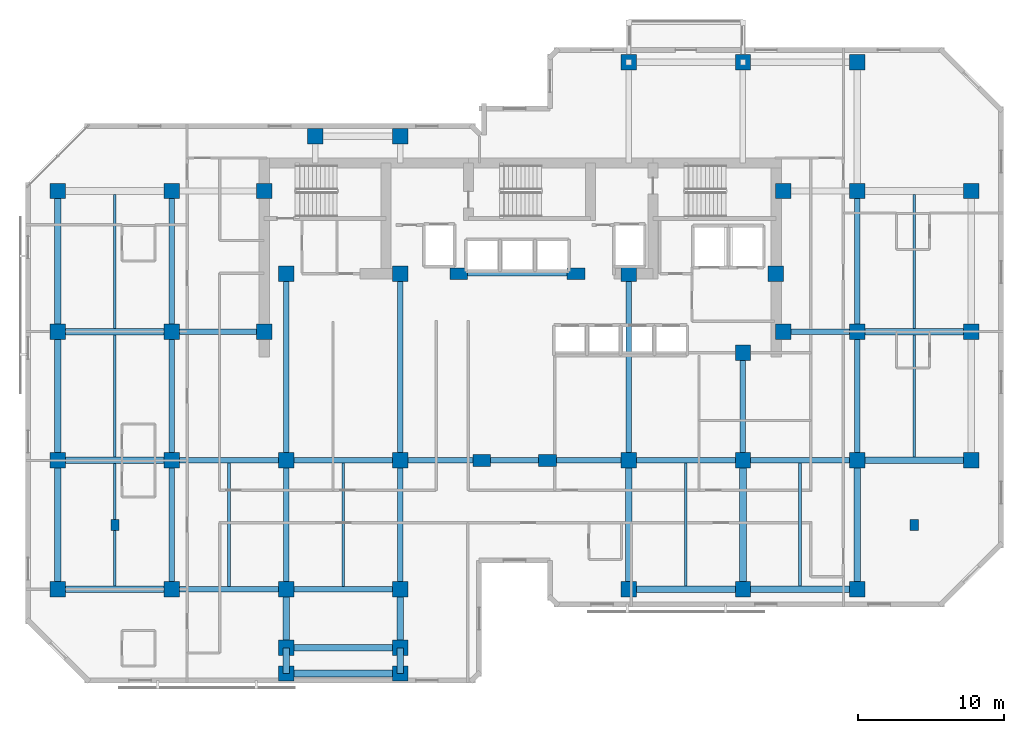
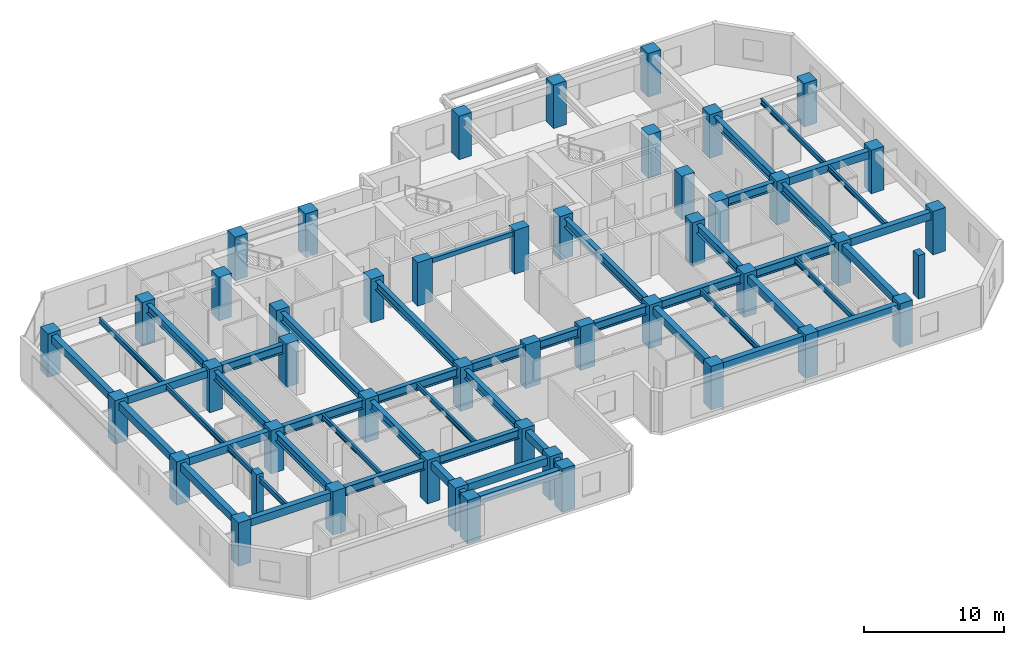
# One storey, part 1 of 10: 51 beams, 47 columns.
"""IFC4 building model written with IfcOpenShell, lengths in metres."""

from ifc_helpers import new_model, si_unit, direction, frame, origin, origin_2d, place, context, subcontext, project, spatial, rectangle, i_section, extrude, material, material_profile, profile_set, type_object, element, save


model = new_model("IFC4")

# Units and contexts
model_context = context("Model", 3, precision=1e-05, world=origin(), true_north=direction((0.0, 1.0)))
body_context = subcontext(model_context, "Body", "Model", "MODEL_VIEW")
ifc_project = project(units=[si_unit("LENGTHUNIT", "METRE"), si_unit("AREAUNIT", "SQUARE_METRE"), si_unit("VOLUMEUNIT", "CUBIC_METRE"), si_unit("PLANEANGLEUNIT", "RADIAN"), si_unit("MASSUNIT", "GRAM", prefix="KILO")], contexts=[model_context])

# Site, building, storey
site_placement = place(None, origin())
site = spatial("IfcSite", under=ifc_project, at=site_placement, CompositionType="ELEMENT")
building_placement = place(site_placement, origin())
building = spatial("IfcBuilding", under=site, at=building_placement, Name="Kestravale Grand Hotel", CompositionType="ELEMENT")
storey_placement = place(building_placement, frame((0.0, 0.0, 149.800048828125)))
storey = spatial("IfcBuildingStorey", under=building, at=storey_placement, Name="L37", CompositionType="ELEMENT", Elevation=149.800048828125)

# Columns
ifc_material_1 = material(Name="Concrete f'c 60 MPa", Category="concrete")
ifc_material_profile_1 = material_profile(ifc_material_1, rectangle(XDim=1.050048828125, YDim=1.050048828125, at=origin_2d()))
ifc_profile_set_1 = profile_set([ifc_material_profile_1], Name="Concrete f'c 60 MPa")
column_type_1 = type_object("IfcColumnType", Name="C-Z3-1050", PredefinedType="COLUMN", material=ifc_profile_set_1)
for number, where, z_axis, x_axis, name in (
    (1, (7.800048828125, 11.199951171875, 0.0), (0.0, 0.0, 1.0), (1.0, 0.0, 0.0), "L37 column 2-C"),
    (2, (7.800048828125, 20.0, 0.0), (0.0, 0.0, 1.0), (1.0, 0.0, 0.0), "L37 column 2-D"),
    (3, (7.800048828125, 28.800048828125, 0.0), (0.0, 0.0, 1.0), (1.0, 0.0, 0.0), "L37 column 2-E"),
    (4, (7.800048828125, 38.39990234375, 0.0), (0.0, 0.0, 1.0), (1.0, 0.0, 0.0), "L37 column 2-F"),
    (5, (15.60009765625, 11.199951171875, 0.0), (0.0, 0.0, 1.0), (1.0, 0.0, 0.0), "L37 column 3-C"),
    (6, (15.60009765625, 20.0, 0.0), (0.0, 0.0, 1.0), (1.0, 0.0, 0.0), "L37 column 3-D"),
    (7, (15.60009765625, 28.800048828125, 0.0), (0.0, 0.0, 1.0), (1.0, 0.0, 0.0), "L37 column 3-E"),
    (8, (15.60009765625, 38.39990234375, 0.0), (0.0, 0.0, 1.0), (1.0, 0.0, 0.0), "L37 column 3-F"),
    (9, (23.39990234375, 11.199951171875, 0.0), (0.0, 0.0, 1.0), (1.0, 0.0, 0.0), "L37 column 4-C"),
    (10, (23.39990234375, 20.0, 0.0), (0.0, 0.0, 1.0), (1.0, 0.0, 0.0), "L37 column 4-D"),
    (11, (31.199951171875, 11.199951171875, 0.0), (0.0, 0.0, 1.0), (1.0, 0.0, 0.0), "L37 column 5-C"),
    (12, (31.199951171875, 20.0, 0.0), (0.0, 0.0, 1.0), (1.0, 0.0, 0.0), "L37 column 5-D"),
    (13, (46.800048828125, 11.199951171875, 0.0), (0.0, 0.0, 1.0), (1.0, 0.0, 0.0), "L37 column 8-C"),
    (14, (46.800048828125, 20.0, 0.0), (0.0, 0.0, 1.0), (1.0, 0.0, 0.0), "L37 column 8-D"),
    (15, (46.800048828125, 47.199951171875, 0.0), (0.0, 0.0, 1.0), (1.0, 0.0, 0.0), "L37 column 8-G"),
    (16, (54.60009765625, 11.199951171875, 0.0), (0.0, 0.0, 1.0), (1.0, 0.0, 0.0), "L37 column 9-C"),
    (17, (54.60009765625, 20.0, 0.0), (0.0, 0.0, 1.0), (1.0, 0.0, 0.0), "L37 column 9-D"),
    (18, (54.60009765625, 47.199951171875, 0.0), (0.0, 0.0, 1.0), (1.0, 0.0, 0.0), "L37 column 9-G"),
    (19, (62.39990234375, 11.199951171875, 0.0), (0.0, 0.0, 1.0), (1.0, 0.0, 0.0), "L37 column 10-C"),
    (20, (62.39990234375, 20.0, 0.0), (0.0, 0.0, 1.0), (1.0, 0.0, 0.0), "L37 column 10-D"),
    (21, (62.39990234375, 28.800048828125, 0.0), (0.0, 0.0, 1.0), (1.0, 0.0, 0.0), "L37 column 10-E"),
    (22, (62.39990234375, 38.39990234375, 0.0), (0.0, 0.0, 1.0), (1.0, 0.0, 0.0), "L37 column 10-F"),
    (23, (62.39990234375, 47.199951171875, 0.0), (0.0, 0.0, 1.0), (1.0, 0.0, 0.0), "L37 column 10-G"),
    (24, (70.199951171875, 20.0, 0.0), (0.0, 0.0, 1.0), (1.0, 0.0, 0.0), "L37 column 11-D"),
    (25, (70.199951171875, 28.800048828125, 0.0), (0.0, 0.0, 1.0), (1.0, 0.0, 0.0), "L37 column 11-E"),
    (26, (70.199951171875, 38.39990234375, 0.0), (0.0, 0.0, 1.0), (1.0, 0.0, 0.0), "L37 column 11-F"),
    (27, (21.89990234375, 28.800048828125, 0.0), (0.0, 0.0, 1.0), (1.0, 0.0, 0.0), "L37 column CW-E"),
    (28, (21.89990234375, 38.39990234375, 0.0), (0.0, 0.0, 1.0), (1.0, 0.0, 0.0), "L37 column CW-F"),
    (29, (57.35009765625, 28.800048828125, 0.0), (0.0, 0.0, 1.0), (1.0, 0.0, 0.0), "L37 column CE-E"),
    (30, (57.35009765625, 38.39990234375, 0.0), (0.0, 0.0, 1.0), (1.0, 0.0, 0.0), "L37 column CE-F"),
    (31, (23.39990234375, 32.75, 0.0), (0.0, 0.0, 1.0), (1.0, 0.0, 0.0), "L37 column 4-CS"),
    (32, (31.199951171875, 32.75, 0.0), (0.0, 0.0, 1.0), (1.0, 0.0, 0.0), "L37 column 5-CS"),
    (33, (46.800048828125, 32.75, 0.0), (0.0, 0.0, 1.0), (1.0, 0.0, 0.0), "L37 column 8-CS"),
    (34, (54.60009765625, 27.35009765625, 0.0), (0.0, 0.0, 1.0), (1.0, 0.0, 0.0), "L37 column 9-CS"),
    (35, (56.85009765625, 32.75, 0.0), (0.0, 0.0, 1.0), (1.0, 0.0, 0.0), "L37 column 9C-CS"),
    (36, (23.39990234375, 7.199951171875, 0.0), (0.0, 0.0, 1.0), (1.0, 0.0, 0.0), "L37 column 4-BS"),
    (37, (31.199951171875, 7.199951171875, 0.0), (0.0, 0.0, 1.0), (1.0, 0.0, 0.0), "L37 column 5-BS"),
    (38, (25.39990234375, 42.14990234375, 0.0), (0.0, 0.0, 1.0), (1.0, 0.0, 0.0), "L37 column 4-FN"),
    (39, (31.199951171875, 42.14990234375, 0.0), (0.0, 0.0, 1.0), (1.0, 0.0, 0.0), "L37 column 5-FN"),
    (40, (23.39990234375, 5.449951171875, 0.0), (0.0, 0.0, 1.0), (1.0, 0.0, 0.0), "L37 column 4-B1S"),
    (41, (31.199951171875, 5.449951171875, 0.0), (0.0, 0.0, 1.0), (1.0, 0.0, 0.0), "L37 column 5-B1S"),
):
    element("IfcColumn", number, at=place(storey_placement, frame(where, z_axis=z_axis, x_axis=x_axis)), inside=storey, type_object=column_type_1, Name=name, PredefinedType="COLUMN", context=body_context, shape_type="SweptSolid", body=[
        extrude(rectangle(XDim=1.050048828125, YDim=1.050048828125, at=origin_2d()), origin(), (0.0, 0.0, 1.0), 3.800048828125),
    ])
ifc_material_2 = material(Name="Concrete f'c 60 MPa", Category="concrete")
ifc_material_profile_2 = material_profile(ifc_material_2, rectangle(XDim=1.199951171875, YDim=0.800048828125, at=origin_2d()))
ifc_profile_set_2 = profile_set([ifc_material_profile_2], Name="Concrete f'c 60 MPa")
column_type_2 = type_object("IfcColumnType", Name="C-Z3-1200X800", PredefinedType="COLUMN", material=ifc_profile_set_2)
for number, where, z_axis, x_axis, name in (
    (42, (36.75, 20.0, 0.0), (0.0, 0.0, 1.0), (1.0, 0.0, 0.0), "L37 column 6-D"),
    (43, (41.25, 20.0, 0.0), (0.0, 0.0, 1.0), (1.0, 0.0, 0.0), "L37 column 7-D"),
    (44, (35.199951171875, 32.75, 0.0), (0.0, 0.0, 1.0), (1.0, 0.0, 0.0), "L37 column 6C-CS"),
    (45, (43.199951171875, 32.75, 0.0), (0.0, 0.0, 1.0), (1.0, 0.0, 0.0), "L37 column 7C-CS"),
):
    element("IfcColumn", number, at=place(storey_placement, frame(where, z_axis=z_axis, x_axis=x_axis)), inside=storey, type_object=column_type_2, Name=name, PredefinedType="COLUMN", context=body_context, shape_type="SweptSolid", body=[
        extrude(rectangle(XDim=1.199951171875, YDim=0.800048828125, at=origin_2d()), origin(), (0.0, 0.0, 1.0), 3.800048828125),
    ])
ifc_material_3 = material(Name="Precast concrete f'c 45 MPa", Category="concrete")
ifc_material_profile_3 = material_profile(ifc_material_3, rectangle(XDim=0.550048828125, YDim=0.75, at=origin_2d()))
ifc_profile_set_3 = profile_set([ifc_material_profile_3], Name="Precast concrete f'c 45 MPa")
column_type_3 = type_object("IfcColumnType", Name="C-Z3-PIL750", PredefinedType="PILASTER", material=ifc_profile_set_3)
for number, where, z_axis, x_axis, name in (
    (46, (11.699951171875, 15.60009765625, 0.0), (0.0, 0.0, 1.0), (1.0, 0.0, 0.0), "L37 Art Deco fluted pilaster P1"),
    (47, (66.300048828125, 15.60009765625, 0.0), (0.0, 0.0, 1.0), (1.0, 0.0, 0.0), "L37 Art Deco fluted pilaster P2"),
):
    element("IfcColumn", number, at=place(storey_placement, frame(where, z_axis=z_axis, x_axis=x_axis)), inside=storey, type_object=column_type_3, Name=name, PredefinedType="PILASTER", context=body_context, shape_type="SweptSolid", body=[
        extrude(rectangle(XDim=0.550048828125, YDim=0.75, at=origin_2d()), origin(), (0.0, 0.0, 1.0), 3.800048828125),
    ])

# Beams
ifc_material_4 = material(Name="Steel ASTM A992 Grade 50", Category="steel")
ifc_material_profile_4 = material_profile(ifc_material_4, i_section(OverallWidth=0.19091796875, OverallDepth=0.45703125, WebThickness=0.009033203125, FlangeThickness=0.014404296875, FilletRadius=0.015380859375, at=origin_2d()))
ifc_profile_set_4 = profile_set([ifc_material_profile_4], Name="Steel ASTM A992 Grade 50")
beam_type_1 = type_object("IfcBeamType", Name="B-FLR-JST18", PredefinedType="JOIST", material=ifc_profile_set_4)
for number, where, z_axis, x_axis, name in (
    (48, (11.699951171875, 11.425048828125, 3.321533203125), (0.0, 1.0, 0.0), (-1.0, 0.0, 0.0), "L37 floor joist 2-3/C-D #1"),
    (49, (11.699951171875, 20.22509765625, 3.321533203125), (0.0, 1.0, 0.0), (-1.0, 0.0, 0.0), "L37 floor joist 2-3/D-E #1"),
):
    element("IfcBeam", number, at=place(storey_placement, frame(where, z_axis=z_axis, x_axis=x_axis)), inside=storey, type_object=beam_type_1, Name=name, PredefinedType="JOIST", context=body_context, shape_type="SweptSolid", body=[
        extrude(i_section(OverallWidth=0.19091796875, OverallDepth=0.45703125, WebThickness=0.009033203125, FlangeThickness=0.014404296875, FilletRadius=0.015380859375, at=origin_2d()), origin(), (0.0, 0.0, 1.0), 8.349853515625),
    ])
beam_1_placement = place(storey_placement, frame((11.699951171875, 29.02490234375, 3.321533203125), z_axis=(0.0, 1.0, 0.0), x_axis=(-1.0, 0.0, 0.0)))
element("IfcBeam", 50, at=beam_1_placement, inside=storey, type_object=beam_type_1, Name="L37 floor joist 2-3/E-F #1", PredefinedType="JOIST", context=body_context, shape_type="SweptSolid", body=[
    extrude(i_section(OverallWidth=0.19091796875, OverallDepth=0.45703125, WebThickness=0.009033203125, FlangeThickness=0.014404296875, FilletRadius=0.015380859375, at=origin_2d()), origin(), (0.0, 0.0, 1.0), 9.150146484375),
])
for number, where, z_axis, x_axis, name in (
    (51, (19.5, 11.390380859375, 3.321533203125), (0.0, 1.0, 0.0), (-1.0, 0.0, 0.0), "L37 floor joist 3-4/C-D #1"),
    (52, (27.300048828125, 11.390380859375, 3.321533203125), (0.0, 1.0, 0.0), (-1.0, 0.0, 0.0), "L37 floor joist 4-5/C-D #1"),
):
    element("IfcBeam", number, at=place(storey_placement, frame(where, z_axis=z_axis, x_axis=x_axis)), inside=storey, type_object=beam_type_1, Name=name, PredefinedType="JOIST", context=body_context, shape_type="SweptSolid", body=[
        extrude(i_section(OverallWidth=0.19091796875, OverallDepth=0.45703125, WebThickness=0.009033203125, FlangeThickness=0.014404296875, FilletRadius=0.015380859375, at=origin_2d()), origin(), (0.0, 0.0, 1.0), 8.419189453125),
    ])
for number, where, z_axis, x_axis, name in (
    (53, (50.699951171875, 11.425048828125, 3.321533203125), (0.0, 1.0, 0.0), (-1.0, 0.0, 0.0), "L37 floor joist 8-9/C-D #1"),
    (54, (58.5, 11.425048828125, 3.321533203125), (0.0, 1.0, 0.0), (-1.0, 0.0, 0.0), "L37 floor joist 9-10/C-D #1"),
):
    element("IfcBeam", number, at=place(storey_placement, frame(where, z_axis=z_axis, x_axis=x_axis)), inside=storey, type_object=beam_type_1, Name=name, PredefinedType="JOIST", context=body_context, shape_type="SweptSolid", body=[
        extrude(i_section(OverallWidth=0.19091796875, OverallDepth=0.45703125, WebThickness=0.009033203125, FlangeThickness=0.014404296875, FilletRadius=0.015380859375, at=origin_2d()), origin(), (0.0, 0.0, 1.0), 8.384521484375),
    ])
beam_2_placement = place(storey_placement, frame((66.300048828125, 20.22509765625, 3.321533203125), z_axis=(0.0, 1.0, 0.0), x_axis=(-1.0, 0.0, 0.0)))
element("IfcBeam", 55, at=beam_2_placement, inside=storey, type_object=beam_type_1, Name="L37 floor joist 10-11/D-E #1", PredefinedType="JOIST", context=body_context, shape_type="SweptSolid", body=[
    extrude(i_section(OverallWidth=0.19091796875, OverallDepth=0.45703125, WebThickness=0.009033203125, FlangeThickness=0.014404296875, FilletRadius=0.015380859375, at=origin_2d()), origin(), (0.0, 0.0, 1.0), 8.349853515625),
])
beam_3_placement = place(storey_placement, frame((66.300048828125, 29.02490234375, 3.321533203125), z_axis=(0.0, 1.0, 0.0), x_axis=(-1.0, 0.0, 0.0)))
element("IfcBeam", 56, at=beam_3_placement, inside=storey, type_object=beam_type_1, Name="L37 floor joist 10-11/E-F #1", PredefinedType="JOIST", context=body_context, shape_type="SweptSolid", body=[
    extrude(i_section(OverallWidth=0.19091796875, OverallDepth=0.45703125, WebThickness=0.009033203125, FlangeThickness=0.014404296875, FilletRadius=0.015380859375, at=origin_2d()), origin(), (0.0, 0.0, 1.0), 9.150146484375),
])
ifc_material_5 = material(Name="Concrete f'c 45 MPa", Category="concrete")
ifc_material_profile_5 = material_profile(ifc_material_5, rectangle(XDim=0.300048828125, YDim=0.39990234375, at=origin_2d()))
ifc_profile_set_5 = profile_set([ifc_material_profile_5], Name="Concrete f'c 45 MPa")
beam_type_2 = type_object("IfcBeamType", Name="B-FLR-LNT400", PredefinedType="LINTEL", material=ifc_profile_set_5)
beam_4_placement = place(storey_placement, frame((35.199951171875, 32.75, 3.349853515625), z_axis=(1.0, 0.0, 0.0), x_axis=(0.0, 1.0, 0.0)))
element("IfcBeam", 57, at=beam_4_placement, inside=storey, type_object=beam_type_2, Name="L37 core portal header lintel", PredefinedType="LINTEL", context=body_context, shape_type="SweptSolid", body=[
    extrude(rectangle(XDim=0.300048828125, YDim=0.39990234375, at=origin_2d()), origin(), (0.0, 0.0, 1.0), 8.0),
])
ifc_material_6 = material(Name="Concrete f'c 45 MPa", Category="concrete")
ifc_material_profile_6 = material_profile(ifc_material_6, rectangle(XDim=0.449951171875, YDim=0.64990234375, at=origin_2d()))
ifc_profile_set_6 = profile_set([ifc_material_profile_6], Name="Concrete f'c 45 MPa")
beam_type_3 = type_object("IfcBeamType", Name="B-FLR-RC650", PredefinedType="SPANDREL", material=ifc_profile_set_6)
for number, where, z_axis, x_axis, name in (
    (58, (7.800048828125, 11.199951171875, 3.224853515625), (1.0, 0.0, 0.0), (0.0, 1.0, 0.0), "L37 spandrel C:2-3"),
    (59, (46.800048828125, 11.199951171875, 3.224853515625), (1.0, 0.0, 0.0), (0.0, 1.0, 0.0), "L37 spandrel C:8-9"),
):
    element("IfcBeam", number, at=place(storey_placement, frame(where, z_axis=z_axis, x_axis=x_axis)), inside=storey, type_object=beam_type_3, Name=name, PredefinedType="SPANDREL", context=body_context, shape_type="SweptSolid", body=[
        extrude(rectangle(XDim=0.449951171875, YDim=0.64990234375, at=origin_2d()), origin(), (0.0, 0.0, 1.0), 7.800048828125),
    ])
beam_5_placement = place(storey_placement, frame((54.60009765625, 11.199951171875, 3.224853515625), z_axis=(1.0, 0.0, 0.0), x_axis=(0.0, 1.0, 0.0)))
element("IfcBeam", 60, at=beam_5_placement, inside=storey, type_object=beam_type_3, Name="L37 spandrel C:9-10", PredefinedType="SPANDREL", context=body_context, shape_type="SweptSolid", body=[
    extrude(rectangle(XDim=0.449951171875, YDim=0.64990234375, at=origin_2d()), origin(), (0.0, 0.0, 1.0), 7.7998046875),
])
for number, where, z_axis, x_axis, name in (
    (61, (7.800048828125, 20.0, 3.224853515625), (1.0, 0.0, 0.0), (0.0, 1.0, 0.0), "L37 spandrel D:2-3"),
    (62, (62.39990234375, 20.0, 3.224853515625), (1.0, 0.0, 0.0), (0.0, 1.0, 0.0), "L37 spandrel D:10-11"),
    (63, (7.800048828125, 28.800048828125, 3.224853515625), (1.0, 0.0, 0.0), (0.0, 1.0, 0.0), "L37 spandrel E:2-3"),
    (64, (62.39990234375, 28.800048828125, 3.224853515625), (1.0, 0.0, 0.0), (0.0, 1.0, 0.0), "L37 spandrel E:10-11"),
    (65, (23.39990234375, 5.449951171875, 3.224853515625), (1.0, 0.0, 0.0), (0.0, 1.0, 0.0), "L37 perimeter tie spandrel B1S:4-5"),
    (66, (23.39990234375, 7.199951171875, 3.224853515625), (1.0, 0.0, 0.0), (0.0, 1.0, 0.0), "L37 perimeter tie spandrel BS:4-5"),
):
    element("IfcBeam", number, at=place(storey_placement, frame(where, z_axis=z_axis, x_axis=x_axis)), inside=storey, type_object=beam_type_3, Name=name, PredefinedType="SPANDREL", context=body_context, shape_type="SweptSolid", body=[
        extrude(rectangle(XDim=0.449951171875, YDim=0.64990234375, at=origin_2d()), origin(), (0.0, 0.0, 1.0), 7.800048828125),
    ])
for number, where, z_axis, x_axis, name in (
    (67, (7.800048828125, 11.199951171875, 3.224853515625), (0.0, 1.0, 0.0), (-1.0, 0.0, 0.0), "L37 spandrel 2:C-D"),
    (68, (7.800048828125, 20.0, 3.224853515625), (0.0, 1.0, 0.0), (-1.0, 0.0, 0.0), "L37 spandrel 2:D-E"),
):
    element("IfcBeam", number, at=place(storey_placement, frame(where, z_axis=z_axis, x_axis=x_axis)), inside=storey, type_object=beam_type_3, Name=name, PredefinedType="SPANDREL", context=body_context, shape_type="SweptSolid", body=[
        extrude(rectangle(XDim=0.449951171875, YDim=0.64990234375, at=origin_2d()), origin(), (0.0, 0.0, 1.0), 8.800048828125),
    ])
beam_6_placement = place(storey_placement, frame((7.800048828125, 28.800048828125, 3.224853515625), z_axis=(0.0, 1.0, 0.0), x_axis=(-1.0, 0.0, 0.0)))
element("IfcBeam", 69, at=beam_6_placement, inside=storey, type_object=beam_type_3, Name="L37 spandrel 2:E-F", PredefinedType="SPANDREL", context=body_context, shape_type="SweptSolid", body=[
    extrude(rectangle(XDim=0.449951171875, YDim=0.64990234375, at=origin_2d()), origin(), (0.0, 0.0, 1.0), 9.599853515625),
])
beam_7_placement = place(storey_placement, frame((23.39990234375, 5.449951171875, 3.224853515625), z_axis=(0.0, 1.0, 0.0), x_axis=(-1.0, 0.0, 0.0)))
element("IfcBeam", 70, at=beam_7_placement, inside=storey, type_object=beam_type_3, Name="L37 spandrel 4:B1S-BS", PredefinedType="SPANDREL", context=body_context, shape_type="SweptSolid", body=[
    extrude(rectangle(XDim=0.449951171875, YDim=0.64990234375, at=origin_2d()), origin(), (0.0, 0.0, 1.0), 1.75),
])
beam_8_placement = place(storey_placement, frame((23.39990234375, 7.199951171875, 3.224853515625), z_axis=(0.0, 1.0, 0.0), x_axis=(-1.0, 0.0, 0.0)))
element("IfcBeam", 71, at=beam_8_placement, inside=storey, type_object=beam_type_3, Name="L37 spandrel 4:BS-C", PredefinedType="SPANDREL", context=body_context, shape_type="SweptSolid", body=[
    extrude(rectangle(XDim=0.449951171875, YDim=0.64990234375, at=origin_2d()), origin(), (0.0, 0.0, 1.0), 4.0),
])
beam_9_placement = place(storey_placement, frame((31.199951171875, 5.449951171875, 3.224853515625), z_axis=(0.0, 1.0, 0.0), x_axis=(-1.0, 0.0, 0.0)))
element("IfcBeam", 72, at=beam_9_placement, inside=storey, type_object=beam_type_3, Name="L37 spandrel 5:B1S-BS", PredefinedType="SPANDREL", context=body_context, shape_type="SweptSolid", body=[
    extrude(rectangle(XDim=0.449951171875, YDim=0.64990234375, at=origin_2d()), origin(), (0.0, 0.0, 1.0), 1.75),
])
beam_10_placement = place(storey_placement, frame((31.199951171875, 7.199951171875, 3.224853515625), z_axis=(0.0, 1.0, 0.0), x_axis=(-1.0, 0.0, 0.0)))
element("IfcBeam", 73, at=beam_10_placement, inside=storey, type_object=beam_type_3, Name="L37 spandrel 5:BS-C", PredefinedType="SPANDREL", context=body_context, shape_type="SweptSolid", body=[
    extrude(rectangle(XDim=0.449951171875, YDim=0.64990234375, at=origin_2d()), origin(), (0.0, 0.0, 1.0), 4.0),
])
for number, where, z_axis, x_axis, name in (
    (74, (46.800048828125, 11.199951171875, 3.224853515625), (0.0, 1.0, 0.0), (-1.0, 0.0, 0.0), "L37 spandrel 8:C-D"),
    (75, (54.60009765625, 11.199951171875, 3.224853515625), (0.0, 1.0, 0.0), (-1.0, 0.0, 0.0), "L37 spandrel 9:C-D"),
    (76, (62.39990234375, 11.199951171875, 3.224853515625), (0.0, 1.0, 0.0), (-1.0, 0.0, 0.0), "L37 spandrel 10:C-D"),
):
    element("IfcBeam", number, at=place(storey_placement, frame(where, z_axis=z_axis, x_axis=x_axis)), inside=storey, type_object=beam_type_3, Name=name, PredefinedType="SPANDREL", context=body_context, shape_type="SweptSolid", body=[
        extrude(rectangle(XDim=0.449951171875, YDim=0.64990234375, at=origin_2d()), origin(), (0.0, 0.0, 1.0), 8.800048828125),
    ])
ifc_material_7 = material(Name="Steel ASTM A992 Grade 50", Category="steel")
ifc_material_profile_7 = material_profile(ifc_material_7, i_section(OverallWidth=0.381103515625, OverallDepth=0.77197265625, WebThickness=0.0166015625, FlangeThickness=0.027099609375, FilletRadius=0.023681640625, at=origin_2d()))
ifc_profile_set_7 = profile_set([ifc_material_profile_7], Name="Steel ASTM A992 Grade 50")
beam_type_4 = type_object("IfcBeamType", Name="B-GRD-W30", PredefinedType="BEAM", material=ifc_profile_set_7)
beam_11_placement = place(storey_placement, frame((15.60009765625, 11.199951171875, 3.1640625), z_axis=(1.0, 0.0, 0.0), x_axis=(0.0, 1.0, 0.0)))
element("IfcBeam", 77, at=beam_11_placement, inside=storey, type_object=beam_type_4, Name="L37 girder C:3-4", PredefinedType="BEAM", context=body_context, shape_type="SweptSolid", body=[
    extrude(i_section(OverallWidth=0.381103515625, OverallDepth=0.77197265625, WebThickness=0.0166015625, FlangeThickness=0.027099609375, FilletRadius=0.023681640625, at=origin_2d()), origin(), (0.0, 0.0, 1.0), 7.7998046875),
])
beam_12_placement = place(storey_placement, frame((23.39990234375, 11.199951171875, 3.1640625), z_axis=(1.0, 0.0, 0.0), x_axis=(0.0, 1.0, 0.0)))
element("IfcBeam", 78, at=beam_12_placement, inside=storey, type_object=beam_type_4, Name="L37 girder C:4-5", PredefinedType="BEAM", context=body_context, shape_type="SweptSolid", body=[
    extrude(i_section(OverallWidth=0.381103515625, OverallDepth=0.77197265625, WebThickness=0.0166015625, FlangeThickness=0.027099609375, FilletRadius=0.023681640625, at=origin_2d()), origin(), (0.0, 0.0, 1.0), 7.800048828125),
])
beam_13_placement = place(storey_placement, frame((15.60009765625, 20.0, 3.1640625), z_axis=(1.0, 0.0, 0.0), x_axis=(0.0, 1.0, 0.0)))
element("IfcBeam", 79, at=beam_13_placement, inside=storey, type_object=beam_type_4, Name="L37 girder D:3-4", PredefinedType="BEAM", context=body_context, shape_type="SweptSolid", body=[
    extrude(i_section(OverallWidth=0.381103515625, OverallDepth=0.77197265625, WebThickness=0.0166015625, FlangeThickness=0.027099609375, FilletRadius=0.023681640625, at=origin_2d()), origin(), (0.0, 0.0, 1.0), 7.7998046875),
])
beam_14_placement = place(storey_placement, frame((23.39990234375, 20.0, 3.1640625), z_axis=(1.0, 0.0, 0.0), x_axis=(0.0, 1.0, 0.0)))
element("IfcBeam", 80, at=beam_14_placement, inside=storey, type_object=beam_type_4, Name="L37 girder D:4-5", PredefinedType="BEAM", context=body_context, shape_type="SweptSolid", body=[
    extrude(i_section(OverallWidth=0.381103515625, OverallDepth=0.77197265625, WebThickness=0.0166015625, FlangeThickness=0.027099609375, FilletRadius=0.023681640625, at=origin_2d()), origin(), (0.0, 0.0, 1.0), 7.800048828125),
])
beam_15_placement = place(storey_placement, frame((31.199951171875, 20.0, 3.1640625), z_axis=(1.0, 0.0, 0.0), x_axis=(0.0, 1.0, 0.0)))
element("IfcBeam", 81, at=beam_15_placement, inside=storey, type_object=beam_type_4, Name="L37 girder D:5-6", PredefinedType="BEAM", context=body_context, shape_type="SweptSolid", body=[
    extrude(i_section(OverallWidth=0.381103515625, OverallDepth=0.77197265625, WebThickness=0.0166015625, FlangeThickness=0.027099609375, FilletRadius=0.023681640625, at=origin_2d()), origin(), (0.0, 0.0, 1.0), 5.550048828125),
])
beam_16_placement = place(storey_placement, frame((36.75, 20.0, 3.1640625), z_axis=(1.0, 0.0, 0.0), x_axis=(0.0, 1.0, 0.0)))
element("IfcBeam", 82, at=beam_16_placement, inside=storey, type_object=beam_type_4, Name="L37 girder D:6-7", PredefinedType="BEAM", context=body_context, shape_type="SweptSolid", body=[
    extrude(i_section(OverallWidth=0.381103515625, OverallDepth=0.77197265625, WebThickness=0.0166015625, FlangeThickness=0.027099609375, FilletRadius=0.023681640625, at=origin_2d()), origin(), (0.0, 0.0, 1.0), 4.5),
])
beam_17_placement = place(storey_placement, frame((41.25, 20.0, 3.1640625), z_axis=(1.0, 0.0, 0.0), x_axis=(0.0, 1.0, 0.0)))
element("IfcBeam", 83, at=beam_17_placement, inside=storey, type_object=beam_type_4, Name="L37 girder D:7-8", PredefinedType="BEAM", context=body_context, shape_type="SweptSolid", body=[
    extrude(i_section(OverallWidth=0.381103515625, OverallDepth=0.77197265625, WebThickness=0.0166015625, FlangeThickness=0.027099609375, FilletRadius=0.023681640625, at=origin_2d()), origin(), (0.0, 0.0, 1.0), 5.550048828125),
])
beam_18_placement = place(storey_placement, frame((46.800048828125, 20.0, 3.1640625), z_axis=(1.0, 0.0, 0.0), x_axis=(0.0, 1.0, 0.0)))
element("IfcBeam", 84, at=beam_18_placement, inside=storey, type_object=beam_type_4, Name="L37 girder D:8-9", PredefinedType="BEAM", context=body_context, shape_type="SweptSolid", body=[
    extrude(i_section(OverallWidth=0.381103515625, OverallDepth=0.77197265625, WebThickness=0.0166015625, FlangeThickness=0.027099609375, FilletRadius=0.023681640625, at=origin_2d()), origin(), (0.0, 0.0, 1.0), 7.800048828125),
])
beam_19_placement = place(storey_placement, frame((54.60009765625, 20.0, 3.1640625), z_axis=(1.0, 0.0, 0.0), x_axis=(0.0, 1.0, 0.0)))
element("IfcBeam", 85, at=beam_19_placement, inside=storey, type_object=beam_type_4, Name="L37 girder D:9-10", PredefinedType="BEAM", context=body_context, shape_type="SweptSolid", body=[
    extrude(i_section(OverallWidth=0.381103515625, OverallDepth=0.77197265625, WebThickness=0.0166015625, FlangeThickness=0.027099609375, FilletRadius=0.023681640625, at=origin_2d()), origin(), (0.0, 0.0, 1.0), 7.7998046875),
])
beam_20_placement = place(storey_placement, frame((15.60009765625, 28.800048828125, 3.1640625), z_axis=(1.0, 0.0, 0.0), x_axis=(0.0, 1.0, 0.0)))
element("IfcBeam", 86, at=beam_20_placement, inside=storey, type_object=beam_type_4, Name="L37 girder E:3-CW", PredefinedType="BEAM", context=body_context, shape_type="SweptSolid", body=[
    extrude(i_section(OverallWidth=0.381103515625, OverallDepth=0.77197265625, WebThickness=0.0166015625, FlangeThickness=0.027099609375, FilletRadius=0.023681640625, at=origin_2d()), origin(), (0.0, 0.0, 1.0), 6.2998046875),
])
beam_21_placement = place(storey_placement, frame((57.35009765625, 28.800048828125, 3.1640625), z_axis=(1.0, 0.0, 0.0), x_axis=(0.0, 1.0, 0.0)))
element("IfcBeam", 87, at=beam_21_placement, inside=storey, type_object=beam_type_4, Name="L37 girder E:CE-10", PredefinedType="BEAM", context=body_context, shape_type="SweptSolid", body=[
    extrude(i_section(OverallWidth=0.381103515625, OverallDepth=0.77197265625, WebThickness=0.0166015625, FlangeThickness=0.027099609375, FilletRadius=0.023681640625, at=origin_2d()), origin(), (0.0, 0.0, 1.0), 5.0498046875),
])
for number, where, z_axis, x_axis, name in (
    (88, (15.60009765625, 11.199951171875, 3.1640625), (0.0, 1.0, 0.0), (-1.0, 0.0, 0.0), "L37 girder 3:C-D"),
    (89, (15.60009765625, 20.0, 3.1640625), (0.0, 1.0, 0.0), (-1.0, 0.0, 0.0), "L37 girder 3:D-E"),
):
    element("IfcBeam", number, at=place(storey_placement, frame(where, z_axis=z_axis, x_axis=x_axis)), inside=storey, type_object=beam_type_4, Name=name, PredefinedType="BEAM", context=body_context, shape_type="SweptSolid", body=[
        extrude(i_section(OverallWidth=0.381103515625, OverallDepth=0.77197265625, WebThickness=0.0166015625, FlangeThickness=0.027099609375, FilletRadius=0.023681640625, at=origin_2d()), origin(), (0.0, 0.0, 1.0), 8.800048828125),
    ])
beam_22_placement = place(storey_placement, frame((15.60009765625, 28.800048828125, 3.1640625), z_axis=(0.0, 1.0, 0.0), x_axis=(-1.0, 0.0, 0.0)))
element("IfcBeam", 90, at=beam_22_placement, inside=storey, type_object=beam_type_4, Name="L37 girder 3:E-F", PredefinedType="BEAM", context=body_context, shape_type="SweptSolid", body=[
    extrude(i_section(OverallWidth=0.381103515625, OverallDepth=0.77197265625, WebThickness=0.0166015625, FlangeThickness=0.027099609375, FilletRadius=0.023681640625, at=origin_2d()), origin(), (0.0, 0.0, 1.0), 9.599853515625),
])
beam_23_placement = place(storey_placement, frame((23.39990234375, 11.199951171875, 3.1640625), z_axis=(0.0, 1.0, 0.0), x_axis=(-1.0, 0.0, 0.0)))
element("IfcBeam", 91, at=beam_23_placement, inside=storey, type_object=beam_type_4, Name="L37 girder 4:C-D", PredefinedType="BEAM", context=body_context, shape_type="SweptSolid", body=[
    extrude(i_section(OverallWidth=0.381103515625, OverallDepth=0.77197265625, WebThickness=0.0166015625, FlangeThickness=0.027099609375, FilletRadius=0.023681640625, at=origin_2d()), origin(), (0.0, 0.0, 1.0), 8.800048828125),
])
beam_24_placement = place(storey_placement, frame((23.39990234375, 20.0, 3.1640625), z_axis=(0.0, 1.0, 0.0), x_axis=(-1.0, 0.0, 0.0)))
element("IfcBeam", 92, at=beam_24_placement, inside=storey, type_object=beam_type_4, Name="L37 girder 4:D-CS", PredefinedType="BEAM", context=body_context, shape_type="SweptSolid", body=[
    extrude(i_section(OverallWidth=0.381103515625, OverallDepth=0.77197265625, WebThickness=0.0166015625, FlangeThickness=0.027099609375, FilletRadius=0.023681640625, at=origin_2d()), origin(), (0.0, 0.0, 1.0), 12.75),
])
beam_25_placement = place(storey_placement, frame((31.199951171875, 11.199951171875, 3.1640625), z_axis=(0.0, 1.0, 0.0), x_axis=(-1.0, 0.0, 0.0)))
element("IfcBeam", 93, at=beam_25_placement, inside=storey, type_object=beam_type_4, Name="L37 girder 5:C-D", PredefinedType="BEAM", context=body_context, shape_type="SweptSolid", body=[
    extrude(i_section(OverallWidth=0.381103515625, OverallDepth=0.77197265625, WebThickness=0.0166015625, FlangeThickness=0.027099609375, FilletRadius=0.023681640625, at=origin_2d()), origin(), (0.0, 0.0, 1.0), 8.800048828125),
])
for number, where, z_axis, x_axis, name in (
    (94, (31.199951171875, 20.0, 3.1640625), (0.0, 1.0, 0.0), (-1.0, 0.0, 0.0), "L37 girder 5:D-CS"),
    (95, (46.800048828125, 20.0, 3.1640625), (0.0, 1.0, 0.0), (-1.0, 0.0, 0.0), "L37 girder 8:D-CS"),
):
    element("IfcBeam", number, at=place(storey_placement, frame(where, z_axis=z_axis, x_axis=x_axis)), inside=storey, type_object=beam_type_4, Name=name, PredefinedType="BEAM", context=body_context, shape_type="SweptSolid", body=[
        extrude(i_section(OverallWidth=0.381103515625, OverallDepth=0.77197265625, WebThickness=0.0166015625, FlangeThickness=0.027099609375, FilletRadius=0.023681640625, at=origin_2d()), origin(), (0.0, 0.0, 1.0), 12.75),
    ])
beam_26_placement = place(storey_placement, frame((54.60009765625, 20.0, 3.1640625), z_axis=(0.0, 1.0, 0.0), x_axis=(-1.0, 0.0, 0.0)))
element("IfcBeam", 96, at=beam_26_placement, inside=storey, type_object=beam_type_4, Name="L37 girder 9:D-CS", PredefinedType="BEAM", context=body_context, shape_type="SweptSolid", body=[
    extrude(i_section(OverallWidth=0.381103515625, OverallDepth=0.77197265625, WebThickness=0.0166015625, FlangeThickness=0.027099609375, FilletRadius=0.023681640625, at=origin_2d()), origin(), (0.0, 0.0, 1.0), 7.35009765625),
])
beam_27_placement = place(storey_placement, frame((62.39990234375, 20.0, 3.1640625), z_axis=(0.0, 1.0, 0.0), x_axis=(-1.0, 0.0, 0.0)))
element("IfcBeam", 97, at=beam_27_placement, inside=storey, type_object=beam_type_4, Name="L37 girder 10:D-E", PredefinedType="BEAM", context=body_context, shape_type="SweptSolid", body=[
    extrude(i_section(OverallWidth=0.381103515625, OverallDepth=0.77197265625, WebThickness=0.0166015625, FlangeThickness=0.027099609375, FilletRadius=0.023681640625, at=origin_2d()), origin(), (0.0, 0.0, 1.0), 8.800048828125),
])
beam_28_placement = place(storey_placement, frame((62.39990234375, 28.800048828125, 3.1640625), z_axis=(0.0, 1.0, 0.0), x_axis=(-1.0, 0.0, 0.0)))
element("IfcBeam", 98, at=beam_28_placement, inside=storey, type_object=beam_type_4, Name="L37 girder 10:E-F", PredefinedType="BEAM", context=body_context, shape_type="SweptSolid", body=[
    extrude(i_section(OverallWidth=0.381103515625, OverallDepth=0.77197265625, WebThickness=0.0166015625, FlangeThickness=0.027099609375, FilletRadius=0.023681640625, at=origin_2d()), origin(), (0.0, 0.0, 1.0), 9.599853515625),
])

save(model, "model.ifc")
